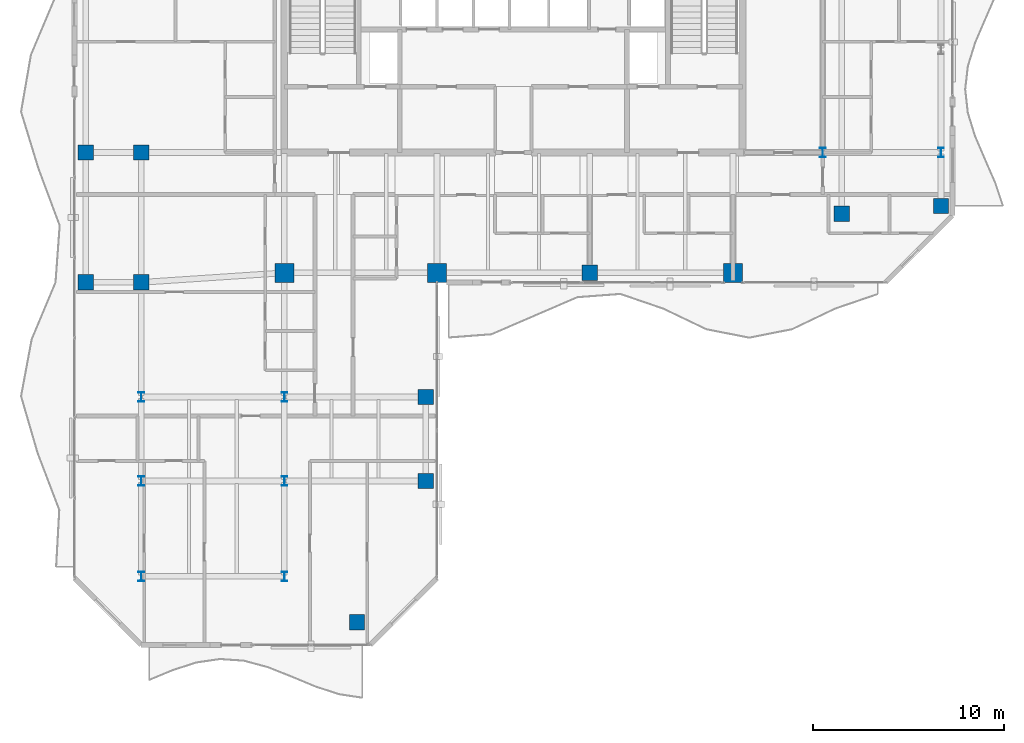
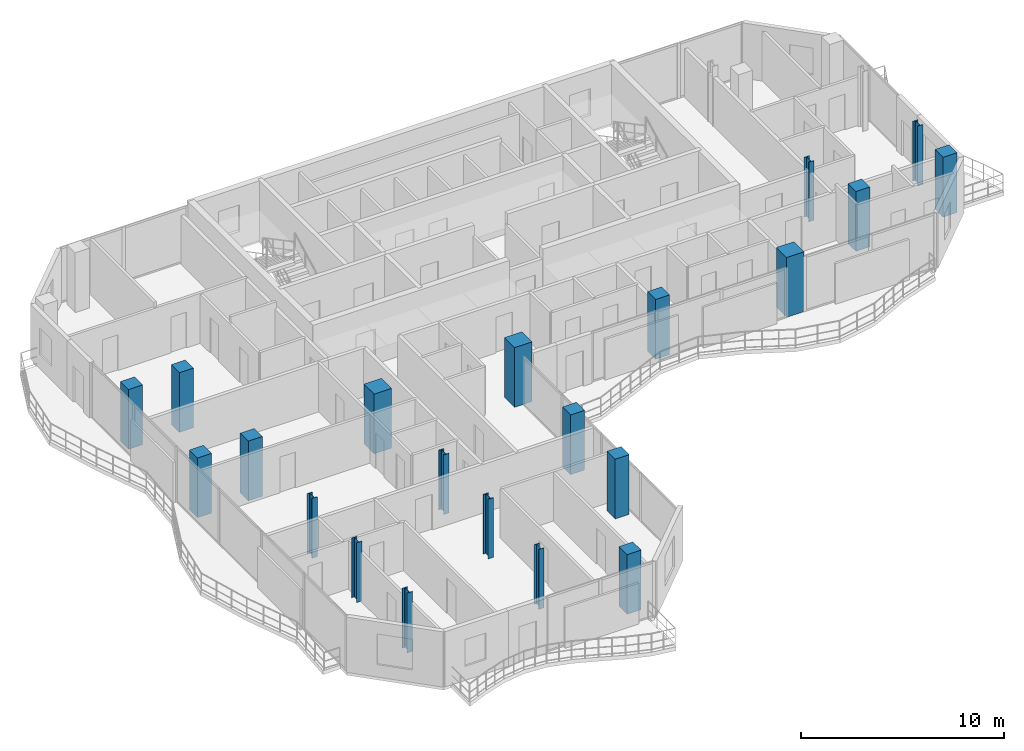
# One storey, part 1 of 24: 21 columns.
"""IFC4 building model written with IfcOpenShell, lengths in metres."""

from ifc_helpers import new_model, si_unit, direction, frame, origin, origin_2d, place, context, subcontext, project, spatial, rectangle, i_section, extrude, material, material_profile, profile_set, type_object, element, save


model = new_model("IFC4")

# Units and contexts
model_context = context("Model", 3, precision=1e-05, world=origin(), true_north=direction((0.0, 1.0)))
body_context = subcontext(model_context, "Body", "Model", "MODEL_VIEW")
ifc_project = project(units=[si_unit("LENGTHUNIT", "METRE"), si_unit("AREAUNIT", "SQUARE_METRE"), si_unit("VOLUMEUNIT", "CUBIC_METRE"), si_unit("PLANEANGLEUNIT", "RADIAN"), si_unit("MASSUNIT", "GRAM", prefix="KILO")], contexts=[model_context])

# Site, building, storey
site_placement = place(None, origin())
site = spatial("IfcSite", under=ifc_project, at=site_placement, CompositionType="ELEMENT")
building_placement = place(site_placement, origin())
building = spatial("IfcBuilding", under=site, at=building_placement, Name="Catumbela Crestline Tower", CompositionType="ELEMENT")
storey_placement = place(building_placement, frame((0.0, 0.0, 161.4)))
storey = spatial("IfcBuildingStorey", under=building, at=storey_placement, Name="L41", CompositionType="ELEMENT", Elevation=161.4)

# Columns
ifc_material_1 = material(Name="Concrete C50/60", Category="concrete")
ifc_material_profile_1 = material_profile(ifc_material_1, rectangle(XDim=1.0, YDim=1.0, at=origin_2d()), Name="RC 1000x1000")
ifc_profile_set_1 = profile_set([ifc_material_profile_1], Name="Concrete C50/60")
column_type_1 = type_object("IfcColumnType", Name="C-RC1000-C50", PredefinedType="COLUMN", material=ifc_profile_set_1)
for number, where, z_axis, x_axis, name in (
    (1, (16.0, 24.5, 0.0), (0.0, 0.0, 1.0), (1.0, 0.0, 0.0), "L41 Column C-16-24 (RC 1000x1000)"),
    (2, (24.0, 24.5, 0.0), (0.0, 0.0, 1.0), (1.0, 0.0, 0.0), "L41 Column C-24-24 (RC 1000x1000)"),
    (3, (39.5, 24.5, 0.0), (0.0, 0.0, 1.0), (1.0, 0.0, 0.0), "L41 Column C-40-24 (RC 1000x1000)"),
):
    element("IfcColumn", number, at=place(storey_placement, frame(where, z_axis=z_axis, x_axis=x_axis)), inside=storey, type_object=column_type_1, Name=name, PredefinedType="COLUMN", context=body_context, shape_type="SweptSolid", body=[
        extrude(rectangle(XDim=1.0, YDim=1.0, at=origin_2d()), origin(), (0.0, 0.0, 1.0), 3.6),
    ])
ifc_material_profile_2 = material_profile(ifc_material_1, rectangle(XDim=0.8, YDim=0.8, at=origin_2d()), Name="RC 800x800")
ifc_profile_set_2 = profile_set([ifc_material_profile_2], Name="Concrete C50/60")
column_type_2 = type_object("IfcColumnType", Name="C-RC800-C50", PredefinedType="COLUMN", material=ifc_profile_set_2)
for number, where, z_axis, x_axis, name in (
    (4, (8.5, 24.0, 0.0), (0.0, 0.0, 1.0), (1.0, 0.0, 0.0), "L41 Column C-08-24 (RC 800x800)"),
    (5, (32.0, 24.5, 0.0), (0.0, 0.0, 1.0), (1.0, 0.0, 0.0), "L41 Column C-32-24 (RC 800x800)"),
    (6, (5.6, 24.0, 0.0), (0.0, 0.0, 1.0), (1.0, 0.0, 0.0), "L41 Column C-05-24 (RC 800x800)"),
    (7, (5.6, 30.8, 0.0), (0.0, 0.0, 1.0), (1.0, 0.0, 0.0), "L41 Column C-05-31 (RC 800x800)"),
    (8, (8.5, 30.8, 0.0), (0.0, 0.0, 1.0), (1.0, 0.0, 0.0), "L41 Column C-08-31 (RC 800x800)"),
    (9, (45.2, 27.6, 0.0), (0.0, 0.0, 1.0), (1.0, 0.0, 0.0), "L41 Column C-46-24 (RC 800x800)"),
    (10, (50.4, 28.0, 0.0), (0.0, 0.0, 1.0), (1.0, 0.0, 0.0), "L41 Column C-51-24 (RC 800x800)"),
    (11, (19.8, 6.2, 0.0), (0.0, 0.0, 1.0), (1.0, 0.0, 0.0), "L41 Column C-24-05 (RC 800x800)"),
    (12, (23.4, 13.6, 0.0), (0.0, 0.0, 1.0), (1.0, 0.0, 0.0), "L41 Column C-24-10 (RC 800x800)"),
    (13, (23.4, 18.0, 0.0), (0.0, 0.0, 1.0), (1.0, 0.0, 0.0), "L41 Column C-24-16 (RC 800x800)"),
):
    element("IfcColumn", number, at=place(storey_placement, frame(where, z_axis=z_axis, x_axis=x_axis)), inside=storey, type_object=column_type_2, Name=name, PredefinedType="COLUMN", context=body_context, shape_type="SweptSolid", body=[
        extrude(rectangle(XDim=0.8, YDim=0.8, at=origin_2d()), origin(), (0.0, 0.0, 1.0), 3.6),
    ])
ifc_material_2 = material(Name="Structural steel S355J2", Category="steel")
ifc_material_profile_3 = material_profile(ifc_material_2, i_section(OverallWidth=0.3, OverallDepth=0.5, WebThickness=0.0145, FlangeThickness=0.028, FilletRadius=0.027, at=origin_2d()), Name="HEB 500")
ifc_profile_set_3 = profile_set([ifc_material_profile_3], Name="Structural steel S355J2")
column_type_3 = type_object("IfcColumnType", Name="C-ST-HEB500", PredefinedType="COLUMN", material=ifc_profile_set_3)
for number, where, z_axis, x_axis, name in (
    (14, (8.5, 8.6, 0.0), (0.0, 0.0, 1.0), (1.0, 0.0, 0.0), "L41 Column CT-05-05 (HEB 500)"),
    (15, (16.0, 8.6, 0.0), (0.0, 0.0, 1.0), (1.0, 0.0, 0.0), "L41 Column CT-14-05 (HEB 500)"),
    (16, (8.5, 13.6, 0.0), (0.0, 0.0, 1.0), (1.0, 0.0, 0.0), "L41 Column CT-05-10 (HEB 500)"),
    (17, (16.0, 13.6, 0.0), (0.0, 0.0, 1.0), (1.0, 0.0, 0.0), "L41 Column CT-14-10 (HEB 500)"),
    (18, (8.5, 18.0, 0.0), (0.0, 0.0, 1.0), (1.0, 0.0, 0.0), "L41 Column CT-05-16 (HEB 500)"),
    (19, (16.0, 18.0, 0.0), (0.0, 0.0, 1.0), (1.0, 0.0, 0.0), "L41 Column CT-14-16 (HEB 500)"),
    (20, (44.2, 30.8, 0.0), (0.0, 0.0, 1.0), (1.0, 0.0, 0.0), "L41 Column CT-46-31 (HEB 500)"),
    (21, (50.4, 30.8, 0.0), (0.0, 0.0, 1.0), (1.0, 0.0, 0.0), "L41 Column CT-51-31 (HEB 500)"),
):
    element("IfcColumn", number, at=place(storey_placement, frame(where, z_axis=z_axis, x_axis=x_axis)), inside=storey, type_object=column_type_3, Name=name, PredefinedType="COLUMN", context=body_context, shape_type="SweptSolid", body=[
        extrude(i_section(OverallWidth=0.3, OverallDepth=0.5, WebThickness=0.0145, FlangeThickness=0.028, FilletRadius=0.027, at=origin_2d()), origin(), (0.0, 0.0, 1.0), 3.6),
    ])

save(model, "model.ifc")
